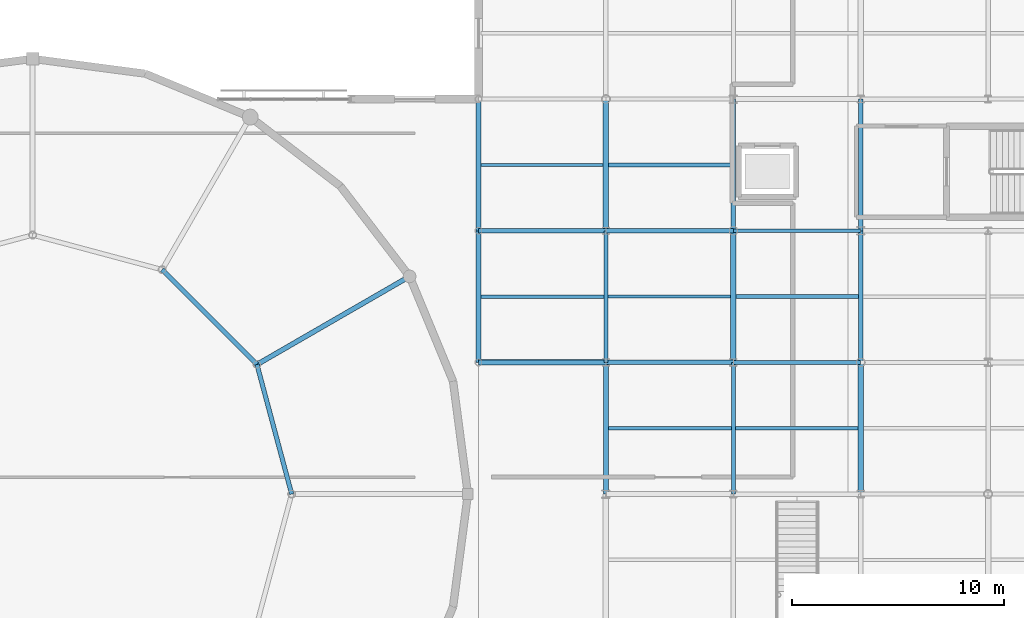
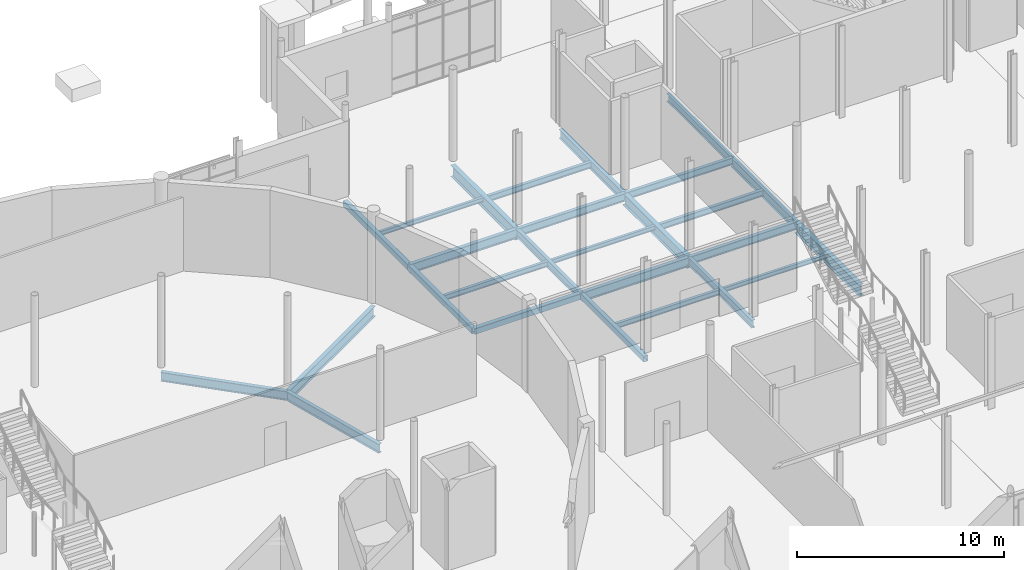
# One storey, part 45 of 98: 27 beams.
"""IFC4 building model written with IfcOpenShell, lengths in metres."""

from ifc_helpers import new_model, si_unit, direction, frame, origin, origin_2d, place, context, subcontext, project, spatial, hollow_rectangle, i_section, extrude, material, material_profile, profile_set, type_object, element, save


model = new_model("IFC4")

# Units and contexts
model_context = context("Model", 3, precision=1e-05, world=origin(), true_north=direction((0.0, 1.0)))
body_context = subcontext(model_context, "Body", "Model", "MODEL_VIEW")
ifc_project = project(units=[si_unit("LENGTHUNIT", "METRE"), si_unit("AREAUNIT", "SQUARE_METRE"), si_unit("VOLUMEUNIT", "CUBIC_METRE"), si_unit("PLANEANGLEUNIT", "RADIAN"), si_unit("MASSUNIT", "GRAM", prefix="KILO")], contexts=[model_context])

# Site, building, storey
site_placement = place(None, origin())
site = spatial("IfcSite", under=ifc_project, at=site_placement, CompositionType="ELEMENT")
building_placement = place(site_placement, origin())
building = spatial("IfcBuilding", under=site, at=building_placement, Name="Mirzam Square Science Centre", CompositionType="ELEMENT")
storey_placement = place(building_placement, origin())
storey = spatial("IfcBuildingStorey", under=building, at=storey_placement, Name="L00", CompositionType="ELEMENT", Elevation=0.0)

# Beams
ifc_material = material(Name="Steel S355", Category="steel")
ifc_material_profile_1 = material_profile(ifc_material, i_section(OverallWidth=0.1787109375, OverallDepth=0.409423828125, WebThickness=0.0087890625, FlangeThickness=0.014404296875, FilletRadius=0.01025390625, at=origin_2d()), Name="406x178x67UB")
ifc_profile_set_1 = profile_set([ifc_material_profile_1], Name="Steel S355")
beam_type_1 = type_object("IfcBeamType", Name="BM-UB406", PredefinedType="BEAM", material=ifc_profile_set_1)
beam_1_placement = place(storey_placement, frame((114.0, 74.39990234375, -0.504638671875), z_axis=(1.0, 0.0, 0.0), x_axis=(0.0, 1.0, 0.0)))
element("IfcBeam", 1, at=beam_1_placement, inside=storey, type_object=beam_type_1, Name="L00 girder X20-13", PredefinedType="BEAM", context=body_context, shape_type="SweptSolid", body=[
    extrude(i_section(OverallWidth=0.1787109375, OverallDepth=0.409423828125, WebThickness=0.0087890625, FlangeThickness=0.014404296875, FilletRadius=0.01025390625, at=origin_2d()), origin(), (0.0, 0.0, 1.0), 6.0),
])
ifc_material_profile_2 = material_profile(ifc_material, i_section(OverallWidth=0.19140625, OverallDepth=0.4599609375, WebThickness=0.010009765625, FlangeThickness=0.01611328125, FilletRadius=0.01025390625, at=origin_2d()), Name="457x191x82UB")
ifc_profile_set_2 = profile_set([ifc_material_profile_2], Name="Steel S355")
beam_type_2 = type_object("IfcBeamType", Name="BM-UB457", PredefinedType="BEAM", material=ifc_profile_set_2)
for number, where, z_axis, x_axis, name in (
    (2, (114.0, 68.199951171875, -0.530029296875), (1.0, 0.0, 0.0), (0.0, 1.0, 0.0), "L00 girder X20-12"),
    (3, (108.0, 74.39990234375, -0.530029296875), (1.0, 0.0, 0.0), (0.0, 1.0, 0.0), "L00 girder X19-13"),
):
    element("IfcBeam", number, at=place(storey_placement, frame(where, z_axis=z_axis, x_axis=x_axis)), inside=storey, type_object=beam_type_2, Name=name, PredefinedType="BEAM", context=body_context, shape_type="SweptSolid", body=[
        extrude(i_section(OverallWidth=0.19140625, OverallDepth=0.4599609375, WebThickness=0.010009765625, FlangeThickness=0.01611328125, FilletRadius=0.01025390625, at=origin_2d()), origin(), (0.0, 0.0, 1.0), 6.0),
    ])
for number, where, z_axis, x_axis, name in (
    (4, (108.0, 68.199951171875, -0.530029296875), (0.0, 1.0, 0.0), (-1.0, 0.0, 0.0), "L00 girder Y19-12"),
    (5, (114.0, 62.0, -0.530029296875), (0.0, 1.0, 0.0), (-1.0, 0.0, 0.0), "L00 girder Y20-11"),
):
    element("IfcBeam", number, at=place(storey_placement, frame(where, z_axis=z_axis, x_axis=x_axis)), inside=storey, type_object=beam_type_2, Name=name, PredefinedType="BEAM", context=body_context, shape_type="SweptSolid", body=[
        extrude(i_section(OverallWidth=0.19140625, OverallDepth=0.4599609375, WebThickness=0.010009765625, FlangeThickness=0.01611328125, FilletRadius=0.01025390625, at=origin_2d()), origin(), (0.0, 0.0, 1.0), 6.199951171875),
    ])
beam_2_placement = place(storey_placement, frame((120.0, 74.39990234375, -0.530029296875), z_axis=(0.0, 1.0, 0.0), x_axis=(-1.0, 0.0, 0.0)))
element("IfcBeam", 6, at=beam_2_placement, inside=storey, type_object=beam_type_2, Name="L00 girder Y21-13", PredefinedType="BEAM", context=body_context, shape_type="SweptSolid", body=[
    extrude(i_section(OverallWidth=0.19140625, OverallDepth=0.4599609375, WebThickness=0.010009765625, FlangeThickness=0.01611328125, FilletRadius=0.01025390625, at=origin_2d()), origin(), (0.0, 0.0, 1.0), 6.2001953125),
])
ifc_material_profile_3 = material_profile(ifc_material, i_section(OverallWidth=0.2099609375, OverallDepth=0.53662109375, WebThickness=0.0107421875, FlangeThickness=0.017333984375, FilletRadius=0.0126953125, at=origin_2d()), Name="533x210x101UB")
ifc_profile_set_3 = profile_set([ifc_material_profile_3], Name="Steel S355")
beam_type_3 = type_object("IfcBeamType", Name="BM-UB533", PredefinedType="BEAM", material=ifc_profile_set_3)
beam_3_placement = place(storey_placement, frame((93.199951171875, 62.0, -0.568359375), z_axis=(-0.25881981979, 0.965925618712, 0.0), x_axis=(-0.965925618712, -0.25881981979, 0.0)))
element("IfcBeam", 7, at=beam_3_placement, inside=storey, type_object=beam_type_3, Name="L00 inner drum ring girder 01", PredefinedType="BEAM", context=body_context, shape_type="SweptSolid", body=[
    extrude(i_section(OverallWidth=0.2099609375, OverallDepth=0.53662109375, WebThickness=0.0107421875, FlangeThickness=0.017333984375, FilletRadius=0.0126953125, at=origin_2d()), origin(), (0.0, 0.0, 1.0), 6.315185546875),
])
beam_4_placement = place(storey_placement, frame((91.5654296875, 68.10009765625, -0.568359375), z_axis=(-0.707106781187, 0.707106781187, 0.0), x_axis=(-0.707106781187, -0.707106781187, 0.0)))
element("IfcBeam", 8, at=beam_4_placement, inside=storey, type_object=beam_type_3, Name="L00 inner drum ring girder 02", PredefinedType="BEAM", context=body_context, shape_type="SweptSolid", body=[
    extrude(i_section(OverallWidth=0.2099609375, OverallDepth=0.53662109375, WebThickness=0.0107421875, FlangeThickness=0.017333984375, FilletRadius=0.0126953125, at=origin_2d()), origin(), (0.0, 0.0, 1.0), 6.31494140625),
])
for number, where, z_axis, x_axis, name in (
    (9, (108.0, 68.199951171875, -0.568359375), (1.0, 0.0, 0.0), (0.0, 1.0, 0.0), "L00 girder X19-12"),
    (10, (102.0, 74.39990234375, -0.568359375), (1.0, 0.0, 0.0), (0.0, 1.0, 0.0), "L00 girder X18-13"),
):
    element("IfcBeam", number, at=place(storey_placement, frame(where, z_axis=z_axis, x_axis=x_axis)), inside=storey, type_object=beam_type_3, Name=name, PredefinedType="BEAM", context=body_context, shape_type="SweptSolid", body=[
        extrude(i_section(OverallWidth=0.2099609375, OverallDepth=0.53662109375, WebThickness=0.0107421875, FlangeThickness=0.017333984375, FilletRadius=0.0126953125, at=origin_2d()), origin(), (0.0, 0.0, 1.0), 6.0),
    ])
beam_5_placement = place(storey_placement, frame((114.0, 74.39990234375, -0.568359375), z_axis=(0.0, 1.0, 0.0), x_axis=(-1.0, 0.0, 0.0)))
element("IfcBeam", 11, at=beam_5_placement, inside=storey, type_object=beam_type_3, Name="L00 girder Y20-13", PredefinedType="BEAM", context=body_context, shape_type="SweptSolid", body=[
    extrude(i_section(OverallWidth=0.2099609375, OverallDepth=0.53662109375, WebThickness=0.0107421875, FlangeThickness=0.017333984375, FilletRadius=0.0126953125, at=origin_2d()), origin(), (0.0, 0.0, 1.0), 6.2001953125),
])
beam_6_placement = place(storey_placement, frame((120.0, 68.199951171875, -0.568359375), z_axis=(0.0, 1.0, 0.0), x_axis=(-1.0, 0.0, 0.0)))
element("IfcBeam", 12, at=beam_6_placement, inside=storey, type_object=beam_type_3, Name="L00 girder Y21-12", PredefinedType="BEAM", context=body_context, shape_type="SweptSolid", body=[
    extrude(i_section(OverallWidth=0.2099609375, OverallDepth=0.53662109375, WebThickness=0.0107421875, FlangeThickness=0.017333984375, FilletRadius=0.0126953125, at=origin_2d()), origin(), (0.0, 0.0, 1.0), 6.199951171875),
])
ifc_material_profile_4 = material_profile(ifc_material, i_section(OverallWidth=0.22900390625, OverallDepth=0.6123046875, WebThickness=0.011962890625, FlangeThickness=0.01953125, FilletRadius=0.0126953125, at=origin_2d()), Name="610x229x125UB")
ifc_profile_set_4 = profile_set([ifc_material_profile_4], Name="Steel S355")
beam_type_4 = type_object("IfcBeamType", Name="BM-UB610", PredefinedType="BEAM", material=ifc_profile_set_4)
beam_7_placement = place(storey_placement, frame((91.5654296875, 68.10009765625, -0.606201171875), z_axis=(0.86602981871, 0.499992353047, 0.0), x_axis=(-0.499992353047, 0.86602981871, 0.0)))
element("IfcBeam", 13, at=beam_7_placement, inside=storey, type_object=beam_type_4, Name="L00 drum radial girder 02", PredefinedType="BEAM", context=body_context, shape_type="SweptSolid", body=[
    extrude(i_section(OverallWidth=0.22900390625, OverallDepth=0.6123046875, WebThickness=0.011962890625, FlangeThickness=0.01953125, FilletRadius=0.0126953125, at=origin_2d()), origin(), (0.0, 0.0, 1.0), 8.300048828125),
])
ifc_material_profile_5 = material_profile(ifc_material, i_section(OverallWidth=0.25439453125, OverallDepth=0.6875, WebThickness=0.01318359375, FlangeThickness=0.02099609375, FilletRadius=0.01513671875, at=origin_2d()), Name="686x254x152UB")
ifc_profile_set_5 = profile_set([ifc_material_profile_5], Name="Steel S355")
beam_type_5 = type_object("IfcBeamType", Name="BM-UB686", PredefinedType="BEAM", material=ifc_profile_set_5)
beam_8_placement = place(storey_placement, frame((108.0, 74.39990234375, -0.643798828125), z_axis=(0.0, 1.0, 0.0), x_axis=(-1.0, 0.0, 0.0)))
element("IfcBeam", 14, at=beam_8_placement, inside=storey, type_object=beam_type_5, Name="L00 girder Y19-13", PredefinedType="BEAM", context=body_context, shape_type="SweptSolid", body=[
    extrude(i_section(OverallWidth=0.25439453125, OverallDepth=0.6875, WebThickness=0.01318359375, FlangeThickness=0.02099609375, FilletRadius=0.01513671875, at=origin_2d()), origin(), (0.0, 0.0, 1.0), 6.2001953125),
])
for number, where, z_axis, x_axis, name in (
    (15, (114.0, 68.199951171875, -0.643798828125), (0.0, 1.0, 0.0), (-1.0, 0.0, 0.0), "L00 girder Y20-12"),
    (16, (120.0, 62.0, -0.643798828125), (0.0, 1.0, 0.0), (-1.0, 0.0, 0.0), "L00 girder Y21-11"),
):
    element("IfcBeam", number, at=place(storey_placement, frame(where, z_axis=z_axis, x_axis=x_axis)), inside=storey, type_object=beam_type_5, Name=name, PredefinedType="BEAM", context=body_context, shape_type="SweptSolid", body=[
        extrude(i_section(OverallWidth=0.25439453125, OverallDepth=0.6875, WebThickness=0.01318359375, FlangeThickness=0.02099609375, FilletRadius=0.01513671875, at=origin_2d()), origin(), (0.0, 0.0, 1.0), 6.199951171875),
    ])
ifc_material_profile_6 = material_profile(ifc_material, i_section(OverallWidth=0.146484375, OverallDepth=0.256103515625, WebThickness=0.00634765625, FlangeThickness=0.010986328125, FilletRadius=0.007568359375, at=origin_2d()), Name="254x146x37UB")
ifc_profile_set_6 = profile_set([ifc_material_profile_6], Name="Steel S355")
beam_type_6 = type_object("IfcBeamType", Name="JS-UB254", PredefinedType="JOIST", material=ifc_profile_set_6)
beam_9_placement = place(storey_placement, frame((102.125, 77.5, -0.427978515625), z_axis=(1.0, 0.0, 0.0), x_axis=(0.0, 1.0, 0.0)))
element("IfcBeam", 17, at=beam_9_placement, inside=storey, type_object=beam_type_6, Name="L00 composite joist 18-13", PredefinedType="JOIST", context=body_context, shape_type="SweptSolid", body=[
    extrude(i_section(OverallWidth=0.146484375, OverallDepth=0.256103515625, WebThickness=0.00634765625, FlangeThickness=0.010986328125, FilletRadius=0.007568359375, at=origin_2d()), origin(), (0.0, 0.0, 1.0), 5.747802734375),
])
for number, where, z_axis, x_axis, name in (
    (18, (108.095703125, 71.300048828125, -0.427978515625), (1.0, 0.0, 0.0), (0.0, 1.0, 0.0), "L00 composite joist 19-12"),
    (19, (114.095703125, 65.10009765625, -0.427978515625), (1.0, 0.0, 0.0), (0.0, 1.0, 0.0), "L00 composite joist 20-11"),
):
    element("IfcBeam", number, at=place(storey_placement, frame(where, z_axis=z_axis, x_axis=x_axis)), inside=storey, type_object=beam_type_6, Name=name, PredefinedType="JOIST", context=body_context, shape_type="SweptSolid", body=[
        extrude(i_section(OverallWidth=0.146484375, OverallDepth=0.256103515625, WebThickness=0.00634765625, FlangeThickness=0.010986328125, FilletRadius=0.007568359375, at=origin_2d()), origin(), (0.0, 0.0, 1.0), 5.777099609375),
    ])
ifc_material_profile_7 = material_profile(ifc_material, i_section(OverallWidth=0.165771484375, OverallDepth=0.306640625, WebThickness=0.006591796875, FlangeThickness=0.01171875, FilletRadius=0.0087890625, at=origin_2d()), Name="305x165x46UB")
ifc_profile_set_7 = profile_set([ifc_material_profile_7], Name="Steel S355")
beam_type_7 = type_object("IfcBeamType", Name="JS-UB305", PredefinedType="JOIST", material=ifc_profile_set_7)
for number, where, z_axis, x_axis, name in (
    (20, (102.125, 71.300048828125, -0.453369140625), (1.0, 0.0, 0.0), (0.0, 1.0, 0.0), "L00 composite joist 18-12"),
    (21, (108.125, 65.10009765625, -0.453369140625), (1.0, 0.0, 0.0), (0.0, 1.0, 0.0), "L00 composite joist 19-11"),
):
    element("IfcBeam", number, at=place(storey_placement, frame(where, z_axis=z_axis, x_axis=x_axis)), inside=storey, type_object=beam_type_7, Name=name, PredefinedType="JOIST", context=body_context, shape_type="SweptSolid", body=[
        extrude(i_section(OverallWidth=0.165771484375, OverallDepth=0.306640625, WebThickness=0.006591796875, FlangeThickness=0.01171875, FilletRadius=0.0087890625, at=origin_2d()), origin(), (0.0, 0.0, 1.0), 5.779296875),
    ])
ifc_material_profile_8 = material_profile(ifc_material, i_section(OverallWidth=0.172119140625, OverallDepth=0.35791015625, WebThickness=0.008056640625, FlangeThickness=0.012939453125, FilletRadius=0.01025390625, at=origin_2d()), Name="356x171x57UB")
ifc_profile_set_8 = profile_set([ifc_material_profile_8], Name="Steel S355")
beam_type_8 = type_object("IfcBeamType", Name="JS-UB356", PredefinedType="JOIST", material=ifc_profile_set_8)
for number, where, z_axis, x_axis, name in (
    (22, (108.127197265625, 77.5, -0.47900390625), (1.0, 0.0, 0.0), (0.0, 1.0, 0.0), "L00 composite joist 19-13"),
    (23, (114.127197265625, 71.300048828125, -0.47900390625), (1.0, 0.0, 0.0), (0.0, 1.0, 0.0), "L00 composite joist 20-12"),
):
    element("IfcBeam", number, at=place(storey_placement, frame(where, z_axis=z_axis, x_axis=x_axis)), inside=storey, type_object=beam_type_8, Name=name, PredefinedType="JOIST", context=body_context, shape_type="SweptSolid", body=[
        extrude(i_section(OverallWidth=0.172119140625, OverallDepth=0.35791015625, WebThickness=0.008056640625, FlangeThickness=0.012939453125, FilletRadius=0.01025390625, at=origin_2d()), origin(), (0.0, 0.0, 1.0), 5.767822265625),
    ])
ifc_material_profile_9 = material_profile(ifc_material, hollow_rectangle(XDim=0.25, YDim=0.35009765625, WallThickness=0.012451171875, InnerFilletRadius=0.012451171875, OuterFilletRadius=0.02490234375, at=origin_2d()), Name="350x250x12.5RHS")
ifc_profile_set_9 = profile_set([ifc_material_profile_9], Name="Steel S355")
beam_type_9 = type_object("IfcBeamType", Name="SP-RHS350", PredefinedType="SPANDREL", material=ifc_profile_set_9)
beam_10_placement = place(storey_placement, frame((102.0, 68.199951171875, -0.47509765625), z_axis=(1.0, 0.0, 0.0), x_axis=(0.0, 1.0, 0.0)))
element("IfcBeam", 24, at=beam_10_placement, inside=storey, type_object=beam_type_9, Name="L00 girder X18-12", PredefinedType="SPANDREL", context=body_context, shape_type="SweptSolid", body=[
    extrude(hollow_rectangle(XDim=0.25, YDim=0.35009765625, WallThickness=0.012451171875, InnerFilletRadius=0.012451171875, OuterFilletRadius=0.02490234375, at=origin_2d()), origin(), (0.0, 0.0, 1.0), 6.0),
])
beam_11_placement = place(storey_placement, frame((102.0, 68.199951171875, -0.47509765625), z_axis=(0.0, 1.0, 0.0), x_axis=(-1.0, 0.0, 0.0)))
element("IfcBeam", 25, at=beam_11_placement, inside=storey, type_object=beam_type_9, Name="L00 girder Y18-12", PredefinedType="SPANDREL", context=body_context, shape_type="SweptSolid", body=[
    extrude(hollow_rectangle(XDim=0.25, YDim=0.35009765625, WallThickness=0.012451171875, InnerFilletRadius=0.012451171875, OuterFilletRadius=0.02490234375, at=origin_2d()), origin(), (0.0, 0.0, 1.0), 6.199951171875),
])
beam_12_placement = place(storey_placement, frame((102.0, 74.39990234375, -0.47509765625), z_axis=(0.0, 1.0, 0.0), x_axis=(-1.0, 0.0, 0.0)))
element("IfcBeam", 26, at=beam_12_placement, inside=storey, type_object=beam_type_9, Name="L00 girder Y18-13", PredefinedType="SPANDREL", context=body_context, shape_type="SweptSolid", body=[
    extrude(hollow_rectangle(XDim=0.25, YDim=0.35009765625, WallThickness=0.012451171875, InnerFilletRadius=0.012451171875, OuterFilletRadius=0.02490234375, at=origin_2d()), origin(), (0.0, 0.0, 1.0), 6.2001953125),
])
beam_13_placement = place(storey_placement, frame((108.0, 62.0, -0.47509765625), z_axis=(0.0, 1.0, 0.0), x_axis=(-1.0, 0.0, 0.0)))
element("IfcBeam", 27, at=beam_13_placement, inside=storey, type_object=beam_type_9, Name="L00 girder Y19-11", PredefinedType="SPANDREL", context=body_context, shape_type="SweptSolid", body=[
    extrude(hollow_rectangle(XDim=0.25, YDim=0.35009765625, WallThickness=0.012451171875, InnerFilletRadius=0.012451171875, OuterFilletRadius=0.02490234375, at=origin_2d()), origin(), (0.0, 0.0, 1.0), 6.199951171875),
])

save(model, "model.ifc")
